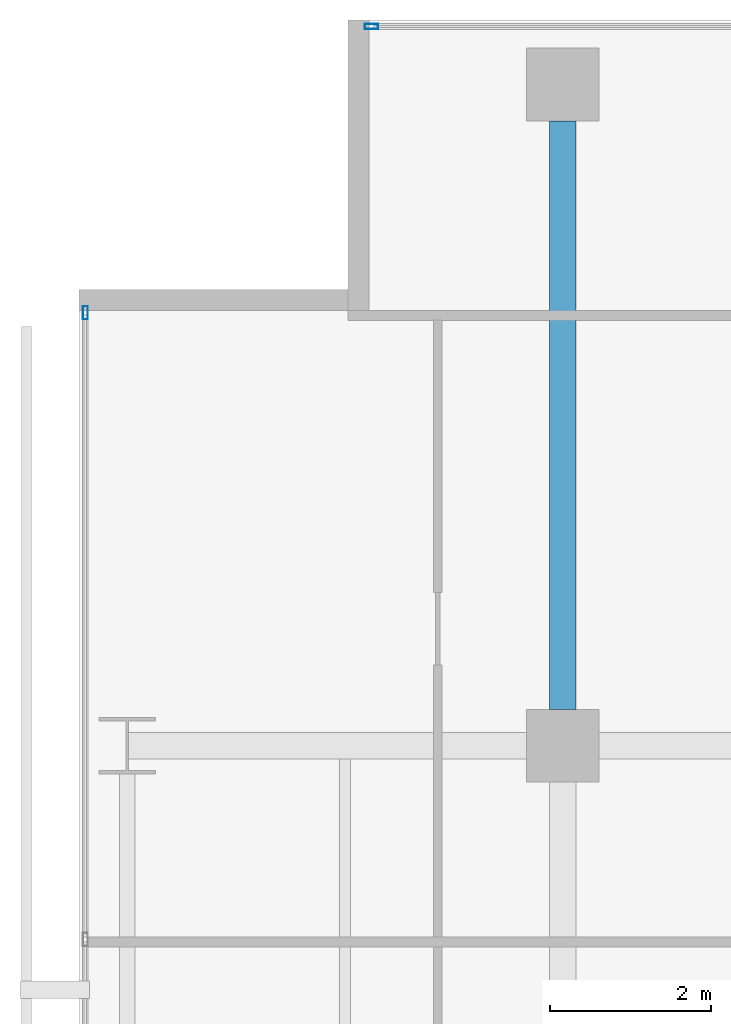
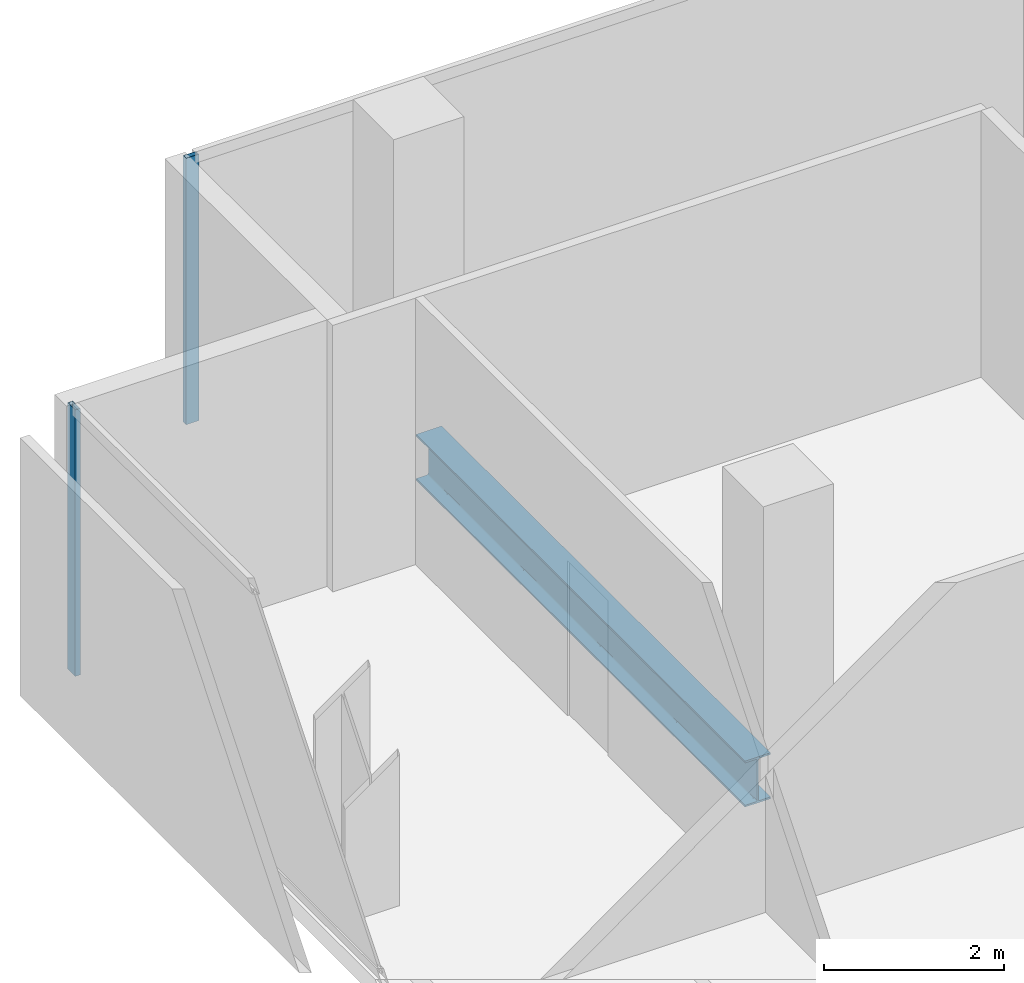
# One storey, part 25 of 41: 2 members, 1 beam, 2 elements without a shape of their own.
"""IFC4 building model written with IfcOpenShell, lengths in metres."""

from ifc_helpers import new_model, si_unit, direction, frame, origin, origin_2d, place, context, subcontext, project, spatial, hollow_rectangle, i_section, extrude, material, layer, layer_set, material_profile, profile_set, type_object, element, aggregate, save


model = new_model("IFC4")

# Units and contexts
model_context = context("Model", 3, precision=1e-05, world=origin(), true_north=direction((0.0, 1.0)))
body_context = subcontext(model_context, "Body", "Model", "MODEL_VIEW")
ifc_project = project(units=[si_unit("LENGTHUNIT", "METRE"), si_unit("AREAUNIT", "SQUARE_METRE"), si_unit("VOLUMEUNIT", "CUBIC_METRE"), si_unit("PLANEANGLEUNIT", "RADIAN"), si_unit("MASSUNIT", "GRAM", prefix="KILO")], contexts=[model_context])

# Site, building, storey
site_placement = place(None, origin())
site = spatial("IfcSite", under=ifc_project, at=site_placement, CompositionType="ELEMENT")
building_placement = place(site_placement, origin())
building = spatial("IfcBuilding", under=site, at=building_placement, Name="Maruvema Waterfront Hotel and Observation Tower", CompositionType="ELEMENT")
storey_placement = place(building_placement, frame((0.0, 0.0, 61.60009765625)))
storey = spatial("IfcBuildingStorey", under=building, at=storey_placement, Name="L14", CompositionType="ELEMENT", Elevation=61.60009765625)

# Curtain wall, member
ifc_material_1 = material(Name="Anodised bronze aluminium and solar-control low-E IGU", Category="aluminium")
ifc_layer = layer(ifc_material_1, 0.159912109375, Name="Zone 1 Bronze Inner Thermal Curtain Wall System CW-02")
ifc_layer_set = layer_set([ifc_layer], Name="Anodised bronze aluminium and solar-control low-E IGU")
curtain_wall_type = type_object("IfcCurtainWallType", Name="Zone 1 Bronze Inner Thermal Curtain Wall System CW-02", PredefinedType="USERDEFINED", material=ifc_layer_set)
curtain_wall_1_placement = place(storey_placement, origin())
curtain_wall_1 = element("IfcCurtainWall", 1, at=curtain_wall_1_placement, inside=storey, type_object=curtain_wall_type, Name="L14 Curtain Wall CW-L14-W", ObjectType="UNITISED CURTAIN WALL", PredefinedType="USERDEFINED")
ifc_material_2 = material(Name="Anodised architectural bronze aluminium", Category="aluminium")
ifc_material_profile_1 = material_profile(ifc_material_2, hollow_rectangle(XDim=0.06494140625, YDim=0.1650390625, WallThickness=0.00390625, at=origin_2d()), Name="ALU-M65x165")
ifc_profile_set_1 = profile_set([ifc_material_profile_1], Name="Anodised architectural bronze aluminium")
member_type = type_object("IfcMemberType", Name="Curtain Wall Primary Mullion ALU-M65x165", PredefinedType="MULLION", material=ifc_profile_set_1)
member_1_placement = place(storey_placement, frame((10.8798828125, 50.3701171875, 0.0), z_axis=(0.0, 0.0, 1.0), x_axis=(1.0, 0.0, 0.0)))
member_1 = element("IfcMember", 2, at=member_1_placement, type_object=member_type, Name="CW-02 mullion 1", PredefinedType="MULLION", context=body_context, shape_type="SweptSolid", body=[
    extrude(hollow_rectangle(XDim=0.06494140625, YDim=0.1650390625, WallThickness=0.00390625, at=origin_2d()), origin(), (0.0, 0.0, 1.0), 3.60986328125),
])
aggregate(curtain_wall_1, [member_1])

curtain_wall_2_placement = place(storey_placement, origin())
curtain_wall_2 = element("IfcCurtainWall", 3, at=curtain_wall_2_placement, inside=storey, type_object=curtain_wall_type, Name="L14 Curtain Wall CW-L14-NW", ObjectType="UNITISED CURTAIN WALL", PredefinedType="USERDEFINED")
member_2_placement = place(storey_placement, frame((14.429931640625, 53.919921875, 0.0), z_axis=(0.0, 0.0, 1.0), x_axis=(0.0, -1.0, 0.0)))
member_2 = element("IfcMember", 4, at=member_2_placement, type_object=member_type, Name="CW-02 mullion 2", PredefinedType="MULLION", context=body_context, shape_type="SweptSolid", body=[
    extrude(hollow_rectangle(XDim=0.06494140625, YDim=0.1650390625, WallThickness=0.00390625, at=origin_2d()), origin(), (0.0, 0.0, 1.0), 3.60986328125),
])
aggregate(curtain_wall_2, [member_2])

# Beam
ifc_material_3 = material(Name="Steel ASTM A572 Grade 50", Category="steel")
ifc_material_profile_2 = material_profile(ifc_material_3, i_section(OverallWidth=0.326904296875, OverallDepth=0.6220703125, WebThickness=0.015380859375, FlangeThickness=0.0244140625, FilletRadius=0.01806640625, at=origin_2d()), Name="W610x195.0")
ifc_profile_set_2 = profile_set([ifc_material_profile_2], Name="Steel ASTM A572 Grade 50")
beam_type = type_object("IfcBeamType", Name="Primary Floor Girder W610x195.0", PredefinedType="BEAM", material=ifc_profile_set_2)
beam_placement = place(storey_placement, frame((16.800048828125, 45.449951171875, -0.551025390625), z_axis=(0.0, 1.0, 0.0), x_axis=(-1.0, 0.0, 0.0)))
element("IfcBeam", 5, at=beam_placement, inside=storey, type_object=beam_type, Name="L14 Floor Girder NS-10", PredefinedType="BEAM", context=body_context, shape_type="SweptSolid", body=[
    extrude(i_section(OverallWidth=0.326904296875, OverallDepth=0.6220703125, WebThickness=0.015380859375, FlangeThickness=0.0244140625, FilletRadius=0.01806640625, at=origin_2d()), origin(), (0.0, 0.0, 1.0), 7.300048828125),
])

save(model, "model.ifc")
